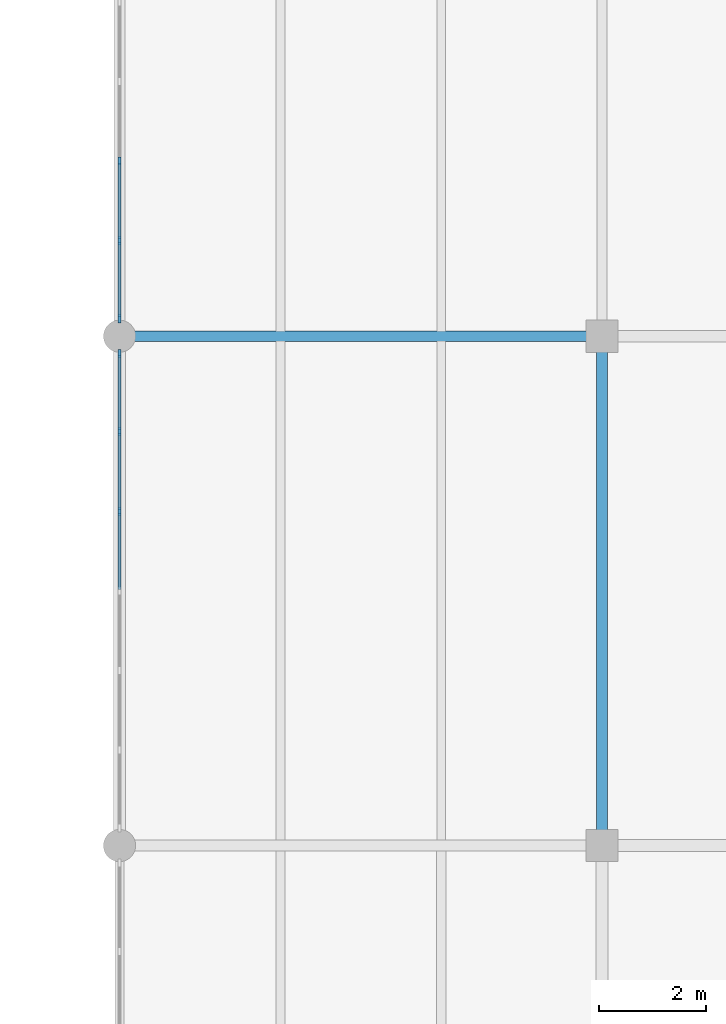
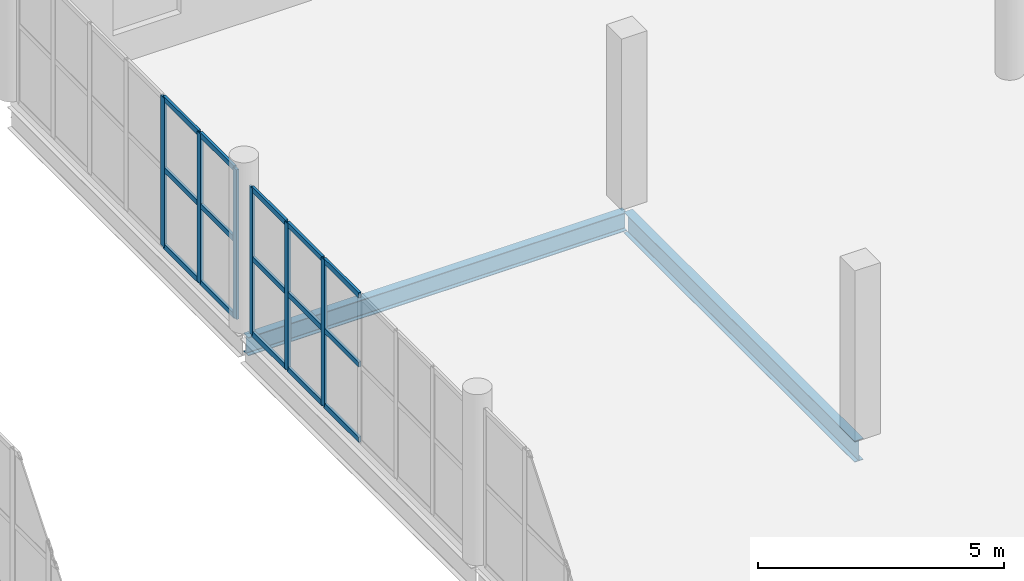
# One storey, part 38 of 73: 21 members, 2 beams, 2 elements without a shape of their own.
"""IFC4 building model written with IfcOpenShell, lengths in metres."""

from ifc_helpers import new_model, si_unit, direction, frame, origin, origin_2d, place, context, subcontext, project, spatial, rectangle, i_section, extrude, material, layer, layer_set, material_profile, profile_set, type_object, element, aggregate, save


model = new_model("IFC4")

# Units and contexts
model_context = context("Model", 3, precision=1e-05, world=origin(), true_north=direction((0.0, 1.0)))
body_context = subcontext(model_context, "Body", "Model", "MODEL_VIEW")
ifc_project = project(units=[si_unit("LENGTHUNIT", "METRE"), si_unit("AREAUNIT", "SQUARE_METRE"), si_unit("VOLUMEUNIT", "CUBIC_METRE"), si_unit("PLANEANGLEUNIT", "RADIAN"), si_unit("MASSUNIT", "GRAM", prefix="KILO")], contexts=[model_context])

# Site, building, storey
site_placement = place(None, origin())
site = spatial("IfcSite", under=ifc_project, at=site_placement, CompositionType="ELEMENT")
building_placement = place(site_placement, origin())
building = spatial("IfcBuilding", under=site, at=building_placement, Name="Marnock Terrace Opera House", CompositionType="ELEMENT")
storey_placement = place(building_placement, frame((0.0, 0.0, 14.699951171875)))
storey = spatial("IfcBuildingStorey", under=building, at=storey_placement, Name="L03", CompositionType="ELEMENT", Elevation=14.699951171875)

# Beams
ifc_material_1 = material(Name="Steel Grade 350 (AS/NZS 3679.1)", Category="steel")
ifc_material_profile_1 = material_profile(ifc_material_1, i_section(OverallWidth=0.19091796875, OverallDepth=0.46044921875, WebThickness=0.010009765625, FlangeThickness=0.01611328125, FilletRadius=0.011474609375, at=origin_2d()))
ifc_profile_set_1 = profile_set([ifc_material_profile_1], Name="Steel Grade 350 (AS/NZS 3679.1)")
beam_type_1 = type_object("IfcBeamType", Name="BM-GIRD-460A", PredefinedType="BEAM", material=ifc_profile_set_1)
beam_1_placement = place(storey_placement, frame((118.050048828125, 84.5, -0.490234375), z_axis=(1.0, 0.0, 0.0), x_axis=(0.0, 1.0, 0.0)))
element("IfcBeam", 1, at=beam_1_placement, inside=storey, type_object=beam_type_1, Name="L03 girder (118.0..127.0, Y=84.5)", PredefinedType="BEAM", context=body_context, shape_type="SweptSolid", body=[
    extrude(i_section(OverallWidth=0.19091796875, OverallDepth=0.46044921875, WebThickness=0.010009765625, FlangeThickness=0.01611328125, FilletRadius=0.011474609375, at=origin_2d()), origin(), (0.0, 0.0, 1.0), 8.89990234375),
])
ifc_material_profile_2 = material_profile(ifc_material_1, i_section(OverallWidth=0.208984375, OverallDepth=0.528076171875, WebThickness=0.009521484375, FlangeThickness=0.01318359375, FilletRadius=0.013916015625, at=origin_2d()))
ifc_profile_set_2 = profile_set([ifc_material_profile_2], Name="Steel Grade 350 (AS/NZS 3679.1)")
beam_type_2 = type_object("IfcBeamType", Name="BM-GIRD-530B", PredefinedType="BEAM", material=ifc_profile_set_2)
beam_2_placement = place(storey_placement, frame((127.0, 75.050048828125, -0.52392578125), z_axis=(0.0, 1.0, 0.0), x_axis=(-1.0, 0.0, 0.0)))
element("IfcBeam", 2, at=beam_2_placement, inside=storey, type_object=beam_type_2, Name="L03 girder (X=127.0, 75.0..84.5)", PredefinedType="BEAM", context=body_context, shape_type="SweptSolid", body=[
    extrude(i_section(OverallWidth=0.208984375, OverallDepth=0.528076171875, WebThickness=0.009521484375, FlangeThickness=0.01318359375, FilletRadius=0.013916015625, at=origin_2d()), origin(), (0.0, 0.0, 1.0), 9.39990234375),
])

# Curtain wall, members
ifc_material_2 = material(Name="Anodised architectural bronze aluminium framing", Category="aluminium")
ifc_layer = layer(ifc_material_2, 0.159912109375)
ifc_layer_set = layer_set([ifc_layer], Name="Anodised architectural bronze aluminium framing")
curtain_wall_type = type_object("IfcCurtainWallType", Name="CW-FOYER-95x42", PredefinedType="NOTDEFINED", material=ifc_layer_set)
curtain_wall_1_placement = place(storey_placement, origin())
curtain_wall_1 = element("IfcCurtainWall", 3, at=curtain_wall_1_placement, inside=storey, type_object=curtain_wall_type, Name="L03 glazed Beaux-Arts colonnade curtain wall CW-V5-L03-W6", PredefinedType="NOTDEFINED")
ifc_material_profile_3 = material_profile(ifc_material_2, rectangle(XDim=0.06005859375, YDim=0.14990234375, at=origin_2d()))
ifc_profile_set_3 = profile_set([ifc_material_profile_3], Name="Anodised architectural bronze aluminium framing")
member_type_1 = type_object("IfcMemberType", Name="CWM-60x150", PredefinedType="MULLION", material=ifc_profile_set_3)
member_1_placement = place(storey_placement, frame((118.0, 81.234619140625, 0.0), z_axis=(0.0, 0.0, 1.0), x_axis=(-1.0, 0.0, 0.0)))
member_1 = element("IfcMember", 4, at=member_1_placement, type_object=member_type_1, Name="CW-17 mullion 5", PredefinedType="MULLION", context=body_context, shape_type="SweptSolid", body=[
    extrude(rectangle(XDim=0.06005859375, YDim=0.14990234375, at=origin_2d()), origin(), (0.0, 0.0, 1.0), 3.64794921875),
])
member_2_placement = place(storey_placement, frame((118.0, 82.71923828125, 0.0), z_axis=(0.0, 0.0, 1.0), x_axis=(-1.0, 0.0, 0.0)))
member_2 = element("IfcMember", 5, at=member_2_placement, type_object=member_type_1, Name="CW-17 mullion 6", PredefinedType="MULLION", context=body_context, shape_type="SweptSolid", body=[
    extrude(rectangle(XDim=0.06005859375, YDim=0.14990234375, at=origin_2d()), origin(), (0.0, 0.0, 1.0), 3.64794921875),
])
member_3_placement = place(storey_placement, frame((118.0, 84.174072265625, 0.0), z_axis=(0.0, 0.0, 1.0), x_axis=(-1.0, 0.0, 0.0)))
member_3 = element("IfcMember", 6, at=member_3_placement, type_object=member_type_1, Name="CW-17 mullion 7", PredefinedType="MULLION", context=body_context, shape_type="SweptSolid", body=[
    extrude(rectangle(XDim=0.06005859375, YDim=0.14990234375, at=origin_2d()), origin(), (0.0, 0.0, 1.0), 3.64794921875),
])

curtain_wall_2_placement = place(storey_placement, origin())
curtain_wall_2 = element("IfcCurtainWall", 7, at=curtain_wall_2_placement, inside=storey, type_object=curtain_wall_type, Name="L03 glazed Beaux-Arts colonnade curtain wall CW-V5-L03-W7", PredefinedType="NOTDEFINED")
member_4_placement = place(storey_placement, frame((118.0, 84.825927734375, 0.0), z_axis=(0.0, 0.0, 1.0), x_axis=(-1.0, 0.0, 0.0)))
member_4 = element("IfcMember", 8, at=member_4_placement, type_object=member_type_1, Name="CW-17 mullion 1", PredefinedType="MULLION", context=body_context, shape_type="SweptSolid", body=[
    extrude(rectangle(XDim=0.06005859375, YDim=0.14990234375, at=origin_2d()), origin(), (0.0, 0.0, 1.0), 3.72216796875),
])
member_5_placement = place(storey_placement, frame((118.0, 86.28076171875, 0.0), z_axis=(0.0, 0.0, 1.0), x_axis=(-1.0, 0.0, 0.0)))
member_5 = element("IfcMember", 9, at=member_5_placement, type_object=member_type_1, Name="CW-17 mullion 2", PredefinedType="MULLION", context=body_context, shape_type="SweptSolid", body=[
    extrude(rectangle(XDim=0.06005859375, YDim=0.14990234375, at=origin_2d()), origin(), (0.0, 0.0, 1.0), 3.72216796875),
])
member_6_placement = place(storey_placement, frame((118.0, 87.765380859375, 0.0), z_axis=(0.0, 0.0, 1.0), x_axis=(-1.0, 0.0, 0.0)))
member_6 = element("IfcMember", 10, at=member_6_placement, type_object=member_type_1, Name="CW-17 mullion 3", PredefinedType="MULLION", context=body_context, shape_type="SweptSolid", body=[
    extrude(rectangle(XDim=0.06005859375, YDim=0.14990234375, at=origin_2d()), origin(), (0.0, 0.0, 1.0), 3.72216796875),
])

# Member
ifc_material_profile_4 = material_profile(ifc_material_2, rectangle(XDim=0.06005859375, YDim=0.1298828125, at=origin_2d()))
ifc_profile_set_4 = profile_set([ifc_material_profile_4], Name="Anodised architectural bronze aluminium framing")
member_type_2 = type_object("IfcMemberType", Name="CWT-60x130", PredefinedType="USERDEFINED", material=ifc_profile_set_4)
member_7_placement = place(storey_placement, frame((118.0, 79.780029296875, 0.030029296875), z_axis=(0.0, 1.0, 0.0), x_axis=(-1.0, 0.0, 0.0)))
member_7 = element("IfcMember", 11, at=member_7_placement, type_object=member_type_2, Name="CW-17 transom 4.1", ObjectType="TRANSOM", PredefinedType="USERDEFINED", context=body_context, shape_type="SweptSolid", body=[
    extrude(rectangle(XDim=0.06005859375, YDim=0.1298828125, at=origin_2d()), origin(), (0.0, 0.0, 1.0), 1.424560546875),
])

member_8_placement = place(storey_placement, frame((118.0, 79.780029296875, 1.89697265625), z_axis=(0.0, 1.0, 0.0), x_axis=(-1.0, 0.0, 0.0)))
member_8 = element("IfcMember", 12, at=member_8_placement, type_object=member_type_2, Name="CW-17 transom 4.2", ObjectType="TRANSOM", PredefinedType="USERDEFINED", context=body_context, shape_type="SweptSolid", body=[
    extrude(rectangle(XDim=0.06005859375, YDim=0.1298828125, at=origin_2d()), origin(), (0.0, 0.0, 1.0), 1.424560546875),
])

member_9_placement = place(storey_placement, frame((118.0, 79.780029296875, 3.6181640625), z_axis=(0.0, 1.0, 0.0), x_axis=(-1.0, 0.0, 0.0)))
member_9 = element("IfcMember", 13, at=member_9_placement, type_object=member_type_2, Name="CW-17 transom 4.3", ObjectType="TRANSOM", PredefinedType="USERDEFINED", context=body_context, shape_type="SweptSolid", body=[
    extrude(rectangle(XDim=0.06005859375, YDim=0.1298828125, at=origin_2d()), origin(), (0.0, 0.0, 1.0), 1.424560546875),
])

member_10_placement = place(storey_placement, frame((118.0, 81.2646484375, 0.030029296875), z_axis=(0.0, 1.0, 0.0), x_axis=(-1.0, 0.0, 0.0)))
member_10 = element("IfcMember", 14, at=member_10_placement, type_object=member_type_2, Name="CW-17 transom 5.1", ObjectType="TRANSOM", PredefinedType="USERDEFINED", context=body_context, shape_type="SweptSolid", body=[
    extrude(rectangle(XDim=0.06005859375, YDim=0.1298828125, at=origin_2d()), origin(), (0.0, 0.0, 1.0), 1.4248046875),
])

member_11_placement = place(storey_placement, frame((118.0, 81.2646484375, 1.89697265625), z_axis=(0.0, 1.0, 0.0), x_axis=(-1.0, 0.0, 0.0)))
member_11 = element("IfcMember", 15, at=member_11_placement, type_object=member_type_2, Name="CW-17 transom 5.2", ObjectType="TRANSOM", PredefinedType="USERDEFINED", context=body_context, shape_type="SweptSolid", body=[
    extrude(rectangle(XDim=0.06005859375, YDim=0.1298828125, at=origin_2d()), origin(), (0.0, 0.0, 1.0), 1.4248046875),
])

member_12_placement = place(storey_placement, frame((118.0, 81.2646484375, 3.6181640625), z_axis=(0.0, 1.0, 0.0), x_axis=(-1.0, 0.0, 0.0)))
member_12 = element("IfcMember", 16, at=member_12_placement, type_object=member_type_2, Name="CW-17 transom 5.3", ObjectType="TRANSOM", PredefinedType="USERDEFINED", context=body_context, shape_type="SweptSolid", body=[
    extrude(rectangle(XDim=0.06005859375, YDim=0.1298828125, at=origin_2d()), origin(), (0.0, 0.0, 1.0), 1.4248046875),
])

member_13_placement = place(storey_placement, frame((118.0, 82.749267578125, 0.030029296875), z_axis=(0.0, 1.0, 0.0), x_axis=(-1.0, 0.0, 0.0)))
member_13 = element("IfcMember", 17, at=member_13_placement, type_object=member_type_2, Name="CW-17 transom 6.1", ObjectType="TRANSOM", PredefinedType="USERDEFINED", context=body_context, shape_type="SweptSolid", body=[
    extrude(rectangle(XDim=0.06005859375, YDim=0.1298828125, at=origin_2d()), origin(), (0.0, 0.0, 1.0), 1.394775390625),
])

member_14_placement = place(storey_placement, frame((118.0, 82.749267578125, 1.89697265625), z_axis=(0.0, 1.0, 0.0), x_axis=(-1.0, 0.0, 0.0)))
member_14 = element("IfcMember", 18, at=member_14_placement, type_object=member_type_2, Name="CW-17 transom 6.2", ObjectType="TRANSOM", PredefinedType="USERDEFINED", context=body_context, shape_type="SweptSolid", body=[
    extrude(rectangle(XDim=0.06005859375, YDim=0.1298828125, at=origin_2d()), origin(), (0.0, 0.0, 1.0), 1.394775390625),
])

member_15_placement = place(storey_placement, frame((118.0, 82.749267578125, 3.6181640625), z_axis=(0.0, 1.0, 0.0), x_axis=(-1.0, 0.0, 0.0)))
member_15 = element("IfcMember", 19, at=member_15_placement, type_object=member_type_2, Name="CW-17 transom 6.3", ObjectType="TRANSOM", PredefinedType="USERDEFINED", context=body_context, shape_type="SweptSolid", body=[
    extrude(rectangle(XDim=0.06005859375, YDim=0.1298828125, at=origin_2d()), origin(), (0.0, 0.0, 1.0), 1.394775390625),
])

aggregate(curtain_wall_1, [member_1, member_2, member_3, member_7, member_8, member_9, member_10, member_11, member_12, member_13, member_14, member_15])

member_16_placement = place(storey_placement, frame((118.0, 84.85595703125, 0.030029296875), z_axis=(0.0, 1.0, 0.0), x_axis=(-1.0, 0.0, 0.0)))
member_16 = element("IfcMember", 20, at=member_16_placement, type_object=member_type_2, Name="CW-17 transom 1.1", ObjectType="TRANSOM", PredefinedType="USERDEFINED", context=body_context, shape_type="SweptSolid", body=[
    extrude(rectangle(XDim=0.06005859375, YDim=0.1298828125, at=origin_2d()), origin(), (0.0, 0.0, 1.0), 1.394775390625),
])

member_17_placement = place(storey_placement, frame((118.0, 84.85595703125, 1.935546875), z_axis=(0.0, 1.0, 0.0), x_axis=(-1.0, 0.0, 0.0)))
member_17 = element("IfcMember", 21, at=member_17_placement, type_object=member_type_2, Name="CW-17 transom 1.2", ObjectType="TRANSOM", PredefinedType="USERDEFINED", context=body_context, shape_type="SweptSolid", body=[
    extrude(rectangle(XDim=0.06005859375, YDim=0.1298828125, at=origin_2d()), origin(), (0.0, 0.0, 1.0), 1.394775390625),
])

member_18_placement = place(storey_placement, frame((118.0, 84.85595703125, 3.692138671875), z_axis=(0.0, 1.0, 0.0), x_axis=(-1.0, 0.0, 0.0)))
member_18 = element("IfcMember", 22, at=member_18_placement, type_object=member_type_2, Name="CW-17 transom 1.3", ObjectType="TRANSOM", PredefinedType="USERDEFINED", context=body_context, shape_type="SweptSolid", body=[
    extrude(rectangle(XDim=0.06005859375, YDim=0.1298828125, at=origin_2d()), origin(), (0.0, 0.0, 1.0), 1.394775390625),
])

member_19_placement = place(storey_placement, frame((118.0, 86.310546875, 0.030029296875), z_axis=(0.0, 1.0, 0.0), x_axis=(-1.0, 0.0, 0.0)))
member_19 = element("IfcMember", 23, at=member_19_placement, type_object=member_type_2, Name="CW-17 transom 2.1", ObjectType="TRANSOM", PredefinedType="USERDEFINED", context=body_context, shape_type="SweptSolid", body=[
    extrude(rectangle(XDim=0.06005859375, YDim=0.1298828125, at=origin_2d()), origin(), (0.0, 0.0, 1.0), 1.4248046875),
])

member_20_placement = place(storey_placement, frame((118.0, 86.310546875, 1.935546875), z_axis=(0.0, 1.0, 0.0), x_axis=(-1.0, 0.0, 0.0)))
member_20 = element("IfcMember", 24, at=member_20_placement, type_object=member_type_2, Name="CW-17 transom 2.2", ObjectType="TRANSOM", PredefinedType="USERDEFINED", context=body_context, shape_type="SweptSolid", body=[
    extrude(rectangle(XDim=0.06005859375, YDim=0.1298828125, at=origin_2d()), origin(), (0.0, 0.0, 1.0), 1.4248046875),
])

member_21_placement = place(storey_placement, frame((118.0, 86.310546875, 3.692138671875), z_axis=(0.0, 1.0, 0.0), x_axis=(-1.0, 0.0, 0.0)))
member_21 = element("IfcMember", 25, at=member_21_placement, type_object=member_type_2, Name="CW-17 transom 2.3", ObjectType="TRANSOM", PredefinedType="USERDEFINED", context=body_context, shape_type="SweptSolid", body=[
    extrude(rectangle(XDim=0.06005859375, YDim=0.1298828125, at=origin_2d()), origin(), (0.0, 0.0, 1.0), 1.4248046875),
])

aggregate(curtain_wall_2, [member_4, member_5, member_6, member_16, member_17, member_18, member_19, member_20, member_21])

save(model, "model.ifc")
